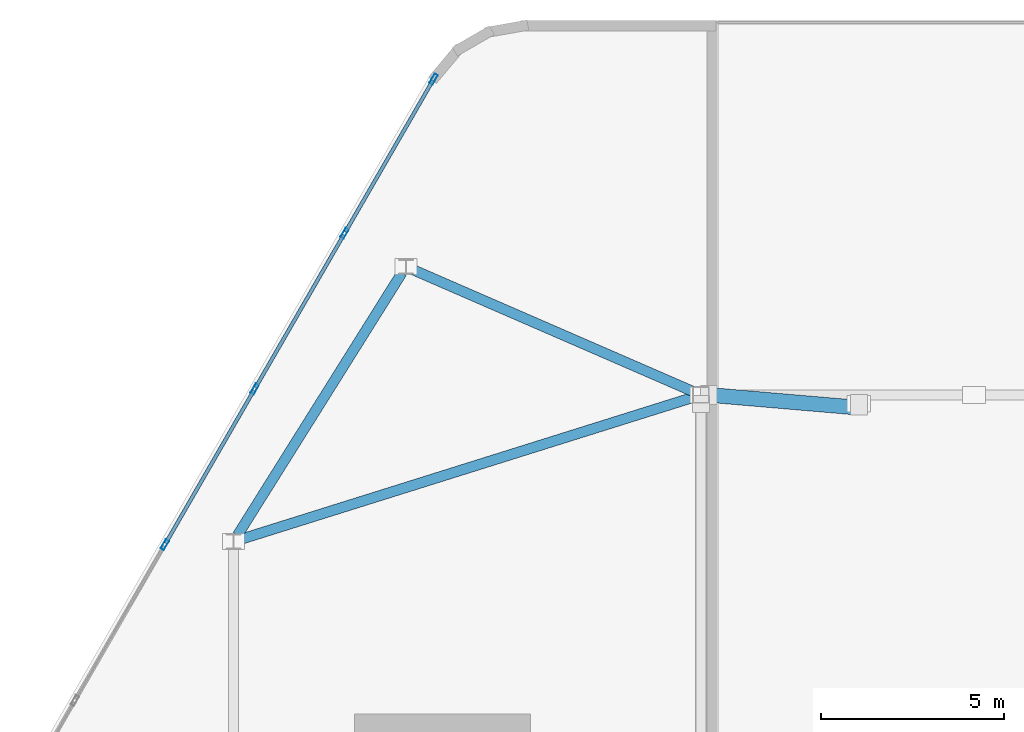
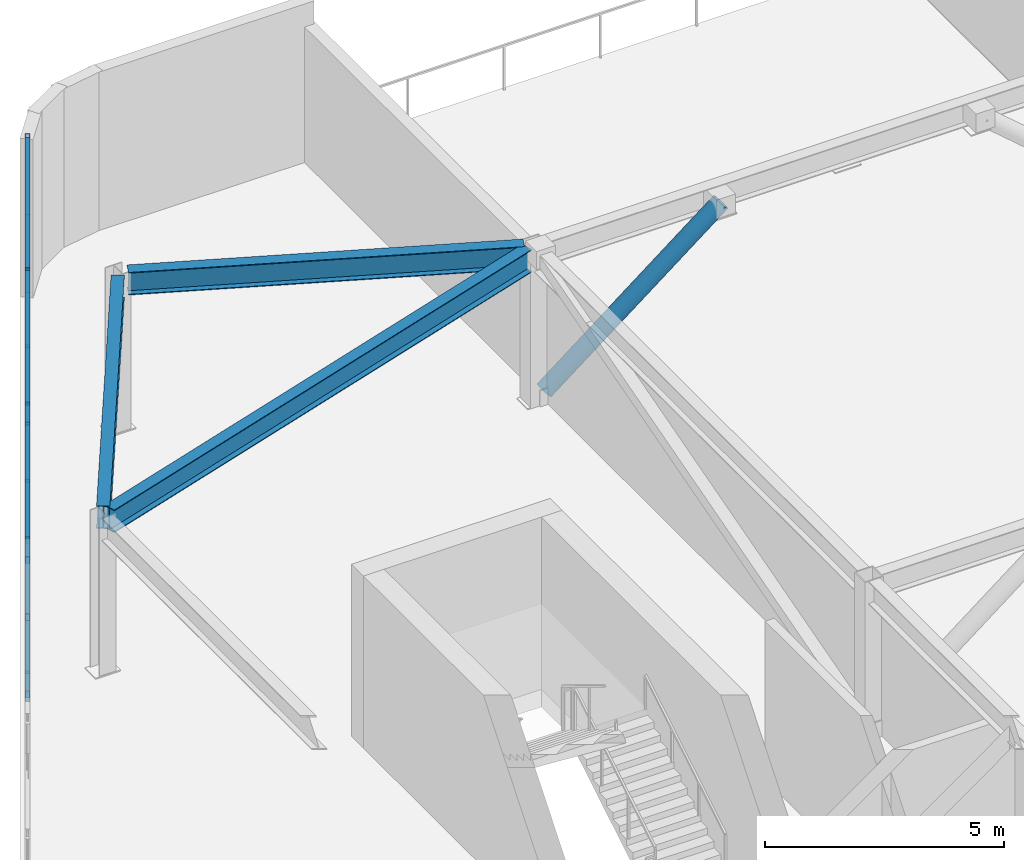
# One storey, part 10 of 17: 14 members, 3 beams, 1 element without a shape of its own.
"""IFC4 building model written with IfcOpenShell, lengths in metres."""

from ifc_helpers import new_model, si_unit, direction, frame, origin, origin_2d, place, context, subcontext, project, spatial, hollow_rectangle, hollow_circle, i_section, extrude, material, material_profile, profile_set, type_object, element, aggregate, save


model = new_model("IFC4")

# Units and contexts
model_context = context("Model", 3, precision=1e-05, world=origin(), true_north=direction((0.0, 1.0)))
body_context = subcontext(model_context, "Body", "Model", "MODEL_VIEW")
ifc_project = project(units=[si_unit("LENGTHUNIT", "METRE"), si_unit("AREAUNIT", "SQUARE_METRE"), si_unit("VOLUMEUNIT", "CUBIC_METRE"), si_unit("PLANEANGLEUNIT", "RADIAN"), si_unit("MASSUNIT", "GRAM", prefix="KILO")], contexts=[model_context])

# Site, building, storey
site_placement = place(None, origin())
site = spatial("IfcSite", under=ifc_project, at=site_placement, CompositionType="ELEMENT")
building_placement = place(site_placement, origin())
building = spatial("IfcBuilding", under=site, at=building_placement, Name="Zuhravey Tower", CompositionType="ELEMENT")
storey_placement = place(building_placement, frame((0.0, 0.0, 361.39990234375)))
storey = spatial("IfcBuildingStorey", under=building, at=storey_placement, Name="L92", CompositionType="ELEMENT", Elevation=361.39990234375)

# Curtain wall, members
ifc_material_1 = material(Name="Thermally broken anodised aluminium", Category="aluminium")
curtain_wall_type = type_object("IfcCurtainWallType", Name="Split-Top Crown Screened Curtain Wall CW6", PredefinedType="NOTDEFINED", material=ifc_material_1)
curtain_wall_placement = place(storey_placement, origin())
curtain_wall = element("IfcCurtainWall", 1, at=curtain_wall_placement, inside=storey, type_object=curtain_wall_type, Name="L92 CW6 CW6-L92-WEST-08", PredefinedType="NOTDEFINED")
ifc_material_2 = material(Name="Anodised aluminium", Category="aluminium")
ifc_material_profile_1 = material_profile(ifc_material_2, hollow_rectangle(XDim=0.10009765625, YDim=0.2900390625, WallThickness=0.006103515625, at=origin_2d()), Name="ALU-RHS-100x290x6")
ifc_profile_set_1 = profile_set([ifc_material_profile_1], Name="Anodised aluminium")
member_type_1 = type_object("IfcMemberType", Name="Heavy Tall-Storey Mullion 100x220", PredefinedType="MULLION", material=ifc_profile_set_1)
member_1_placement = place(storey_placement, frame((13.9248046875, 41.912841796875, 0.0), z_axis=(0.0, 0.0, 1.0), x_axis=(-0.866027063754, 0.499997124838, 0.0)))
member_1 = element("IfcMember", 2, at=member_1_placement, type_object=member_type_1, Name="CW6 mullion 3", PredefinedType="MULLION", context=body_context, shape_type="SweptSolid", body=[
    extrude(hollow_rectangle(XDim=0.10009765625, YDim=0.2900390625, WallThickness=0.006103515625, at=origin_2d()), origin(), (0.0, 0.0, 1.0), 4.050048828125),
])
member_2_placement = place(storey_placement, frame((16.377685546875, 46.161376953125, 0.0), z_axis=(0.0, 0.0, 1.0), x_axis=(-0.866027063754, 0.499997124838, 0.0)))
member_2 = element("IfcMember", 3, at=member_2_placement, type_object=member_type_1, Name="CW6 mullion 4", PredefinedType="MULLION", context=body_context, shape_type="SweptSolid", body=[
    extrude(hollow_rectangle(XDim=0.10009765625, YDim=0.2900390625, WallThickness=0.006103515625, at=origin_2d()), origin(), (0.0, 0.0, 1.0), 4.050048828125),
])
member_3_placement = place(storey_placement, frame((18.83056640625, 50.409912109375, 0.0), z_axis=(0.0, 0.0, 1.0), x_axis=(-0.866027063754, 0.499997124838, 0.0)))
member_3 = element("IfcMember", 4, at=member_3_placement, type_object=member_type_1, Name="CW6 mullion 5", PredefinedType="MULLION", context=body_context, shape_type="SweptSolid", body=[
    extrude(hollow_rectangle(XDim=0.10009765625, YDim=0.2900390625, WallThickness=0.006103515625, at=origin_2d()), origin(), (0.0, 0.0, 1.0), 4.050048828125),
])
member_4_placement = place(storey_placement, frame((21.258544921875, 54.615234375, 0.0), z_axis=(0.0, 0.0, 1.0), x_axis=(-0.866027063754, 0.499997124838, 0.0)))
member_4 = element("IfcMember", 5, at=member_4_placement, type_object=member_type_1, Name="CW6 mullion 6", PredefinedType="MULLION", context=body_context, shape_type="SweptSolid", body=[
    extrude(hollow_rectangle(XDim=0.10009765625, YDim=0.2900390625, WallThickness=0.006103515625, at=origin_2d()), origin(), (0.0, 0.0, 1.0), 4.050048828125),
])

# Beams
ifc_material_3 = material(Name="Steel SM355", Category="steel")
ifc_material_profile_2 = material_profile(ifc_material_3, i_section(OverallWidth=0.280029296875, OverallDepth=0.580078125, WebThickness=0.011962890625, FlangeThickness=0.01904296875, at=origin_2d()), Name="H-580x280x12x19")
ifc_profile_set_2 = profile_set([ifc_material_profile_2], Name="Steel SM355")
beam_type = type_object("IfcBeamType", Name="Perimeter Ring Beam H580x280", PredefinedType="BEAM", material=ifc_profile_set_2)
beam_1_placement = place(storey_placement, frame((15.908447265625, 42.1728515625, 3.760009765625), z_axis=(0.530996685116, 0.847373896457, 0.0), x_axis=(-0.847373896457, 0.530996685116, 0.0)))
element("IfcBeam", 6, at=beam_1_placement, inside=storey, type_object=beam_type, Name="L92 PB4 BM-L92-WCR-1-3", PredefinedType="BEAM", context=body_context, shape_type="SweptSolid", body=[
    extrude(i_section(OverallWidth=0.280029296875, OverallDepth=0.580078125, WebThickness=0.011962890625, FlangeThickness=0.01904296875, at=origin_2d()), origin(), (0.0, 0.0, 1.0), 8.44287109375),
])
beam_2_placement = place(storey_placement, frame((20.68701171875, 49.418701171875, 3.760009765625), z_axis=(0.91707145158, -0.398722902147, 0.0), x_axis=(0.398722902147, 0.91707145158, 0.0)))
element("IfcBeam", 7, at=beam_2_placement, inside=storey, type_object=beam_type, Name="L92 PB4 BM-L92-WCR-3-6", PredefinedType="BEAM", context=body_context, shape_type="SweptSolid", body=[
    extrude(i_section(OverallWidth=0.280029296875, OverallDepth=0.580078125, WebThickness=0.011962890625, FlangeThickness=0.01904296875, at=origin_2d()), origin(), (0.0, 0.0, 1.0), 8.34521484375),
])
beam_3_placement = place(storey_placement, frame((15.99462890625, 42.06103515625, 3.760009765625), z_axis=(0.954147439285, 0.299337040984, 0.0), x_axis=(-0.299337040984, 0.954147439285, 0.0)))
element("IfcBeam", 8, at=beam_3_placement, inside=storey, type_object=beam_type, Name="L92 PB4 BM-L92-WCR-1-6", PredefinedType="BEAM", context=body_context, shape_type="SweptSolid", body=[
    extrude(i_section(OverallWidth=0.280029296875, OverallDepth=0.580078125, WebThickness=0.011962890625, FlangeThickness=0.01904296875, at=origin_2d()), origin(), (0.0, 0.0, 1.0), 12.9296875),
])

# Member
ifc_material_profile_3 = material_profile(ifc_material_2, hollow_rectangle(XDim=0.10009765625, YDim=0.179931640625, WallThickness=0.006103515625, at=origin_2d()), Name="ALU-RHS-100x180x6")
ifc_profile_set_3 = profile_set([ifc_material_profile_3], Name="Anodised aluminium")
member_type_2 = type_object("IfcMemberType", Name="Tall-Storey Transom 100x180", PredefinedType="USERDEFINED", material=ifc_profile_set_3)
member_5_placement = place(storey_placement, frame((13.94970703125, 41.9560546875, 0.050048828125), z_axis=(0.50003466983, 0.866005386223, 0.0), x_axis=(-0.866005386223, 0.50003466983, 0.0)))
member_5 = element("IfcMember", 9, at=member_5_placement, type_object=member_type_2, Name="CW6 transom 3.1", ObjectType="TRANSOM", PredefinedType="USERDEFINED", context=body_context, shape_type="SweptSolid", body=[
    extrude(hollow_rectangle(XDim=0.10009765625, YDim=0.179931640625, WallThickness=0.006103515625, at=origin_2d()), origin(), (0.0, 0.0, 1.0), 4.805908203125),
])

member_6_placement = place(storey_placement, frame((13.94970703125, 41.9560546875, 2.025146484375), z_axis=(0.50003466983, 0.866005386223, 0.0), x_axis=(-0.866005386223, 0.50003466983, 0.0)))
member_6 = element("IfcMember", 10, at=member_6_placement, type_object=member_type_2, Name="CW6 transom 3.2", ObjectType="TRANSOM", PredefinedType="USERDEFINED", context=body_context, shape_type="SweptSolid", body=[
    extrude(hollow_rectangle(XDim=0.10009765625, YDim=0.179931640625, WallThickness=0.006103515625, at=origin_2d()), origin(), (0.0, 0.0, 1.0), 4.805908203125),
])

member_7_placement = place(storey_placement, frame((13.94970703125, 41.9560546875, 4.0), z_axis=(0.50003466983, 0.866005386223, 0.0), x_axis=(-0.866005386223, 0.50003466983, 0.0)))
member_7 = element("IfcMember", 11, at=member_7_placement, type_object=member_type_2, Name="CW6 transom 3.3", ObjectType="TRANSOM", PredefinedType="USERDEFINED", context=body_context, shape_type="SweptSolid", body=[
    extrude(hollow_rectangle(XDim=0.10009765625, YDim=0.179931640625, WallThickness=0.006103515625, at=origin_2d()), origin(), (0.0, 0.0, 1.0), 4.805908203125),
])

member_8_placement = place(storey_placement, frame((16.402587890625, 46.20458984375, 0.050048828125), z_axis=(0.500012672123, 0.866018087407, 0.0), x_axis=(-0.866018087407, 0.500012672123, 0.0)))
member_8 = element("IfcMember", 12, at=member_8_placement, type_object=member_type_2, Name="CW6 transom 4.1", ObjectType="TRANSOM", PredefinedType="USERDEFINED", context=body_context, shape_type="SweptSolid", body=[
    extrude(hollow_rectangle(XDim=0.10009765625, YDim=0.179931640625, WallThickness=0.006103515625, at=origin_2d()), origin(), (0.0, 0.0, 1.0), 4.80615234375),
])

member_9_placement = place(storey_placement, frame((16.402587890625, 46.20458984375, 2.025146484375), z_axis=(0.500012672123, 0.866018087407, 0.0), x_axis=(-0.866018087407, 0.500012672123, 0.0)))
member_9 = element("IfcMember", 13, at=member_9_placement, type_object=member_type_2, Name="CW6 transom 4.2", ObjectType="TRANSOM", PredefinedType="USERDEFINED", context=body_context, shape_type="SweptSolid", body=[
    extrude(hollow_rectangle(XDim=0.10009765625, YDim=0.179931640625, WallThickness=0.006103515625, at=origin_2d()), origin(), (0.0, 0.0, 1.0), 4.80615234375),
])

member_10_placement = place(storey_placement, frame((16.402587890625, 46.20458984375, 4.0), z_axis=(0.500012672123, 0.866018087407, 0.0), x_axis=(-0.866018087407, 0.500012672123, 0.0)))
member_10 = element("IfcMember", 14, at=member_10_placement, type_object=member_type_2, Name="CW6 transom 4.3", ObjectType="TRANSOM", PredefinedType="USERDEFINED", context=body_context, shape_type="SweptSolid", body=[
    extrude(hollow_rectangle(XDim=0.10009765625, YDim=0.179931640625, WallThickness=0.006103515625, at=origin_2d()), origin(), (0.0, 0.0, 1.0), 4.80615234375),
])

member_11_placement = place(storey_placement, frame((18.855712890625, 50.453125, 0.050048828125), z_axis=(0.499965384433, 0.866045388169, 0.0), x_axis=(-0.866045388169, 0.499965384433, 0.0)))
member_11 = element("IfcMember", 15, at=member_11_placement, type_object=member_type_2, Name="CW6 transom 5.1", ObjectType="TRANSOM", PredefinedType="USERDEFINED", context=body_context, shape_type="SweptSolid", body=[
    extrude(hollow_rectangle(XDim=0.10009765625, YDim=0.179931640625, WallThickness=0.006103515625, at=origin_2d()), origin(), (0.0, 0.0, 1.0), 4.755615234375),
])

member_12_placement = place(storey_placement, frame((18.855712890625, 50.453125, 2.025146484375), z_axis=(0.499965384433, 0.866045388169, 0.0), x_axis=(-0.866045388169, 0.499965384433, 0.0)))
member_12 = element("IfcMember", 16, at=member_12_placement, type_object=member_type_2, Name="CW6 transom 5.2", ObjectType="TRANSOM", PredefinedType="USERDEFINED", context=body_context, shape_type="SweptSolid", body=[
    extrude(hollow_rectangle(XDim=0.10009765625, YDim=0.179931640625, WallThickness=0.006103515625, at=origin_2d()), origin(), (0.0, 0.0, 1.0), 4.755615234375),
])

member_13_placement = place(storey_placement, frame((18.855712890625, 50.453125, 4.0), z_axis=(0.499965384433, 0.866045388169, 0.0), x_axis=(-0.866045388169, 0.499965384433, 0.0)))
member_13 = element("IfcMember", 17, at=member_13_placement, type_object=member_type_2, Name="CW6 transom 5.3", ObjectType="TRANSOM", PredefinedType="USERDEFINED", context=body_context, shape_type="SweptSolid", body=[
    extrude(hollow_rectangle(XDim=0.10009765625, YDim=0.179931640625, WallThickness=0.006103515625, at=origin_2d()), origin(), (0.0, 0.0, 1.0), 4.755615234375),
])

aggregate(curtain_wall, [member_1, member_2, member_3, member_4, member_5, member_6, member_7, member_8, member_9, member_10, member_11, member_12, member_13])

ifc_material_profile_4 = material_profile(ifc_material_3, hollow_circle(Radius=0.203125, WallThickness=0.02001953125, at=origin_2d()), Name="CHS-406.4x20")
ifc_profile_set_4 = profile_set([ifc_material_profile_4], Name="Steel SM355")
member_type_3 = type_object("IfcMemberType", Name="Wind-Portal Arch Brace CHS406x20", PredefinedType="BRACE", material=ifc_profile_set_4)
member_14_placement = place(storey_placement, frame((28.780517578125, 45.999755859375, 0.181396484375), z_axis=(0.747122272379, -0.063852005514, 0.661612599265), x_axis=(0.085153511528, 0.996367843457, 0.0)))
element("IfcMember", 18, at=member_14_placement, inside=storey, type_object=member_type_3, Name="L92 Wind-Portal Arch Brace WPB1-3W", PredefinedType="BRACE", context=body_context, shape_type="SweptSolid", body=[
    extrude(hollow_circle(Radius=0.203125, WallThickness=0.02001953125, at=origin_2d()), origin(), (0.0, 0.0, 1.0), 5.44482421875),
])

save(model, "model.ifc")
